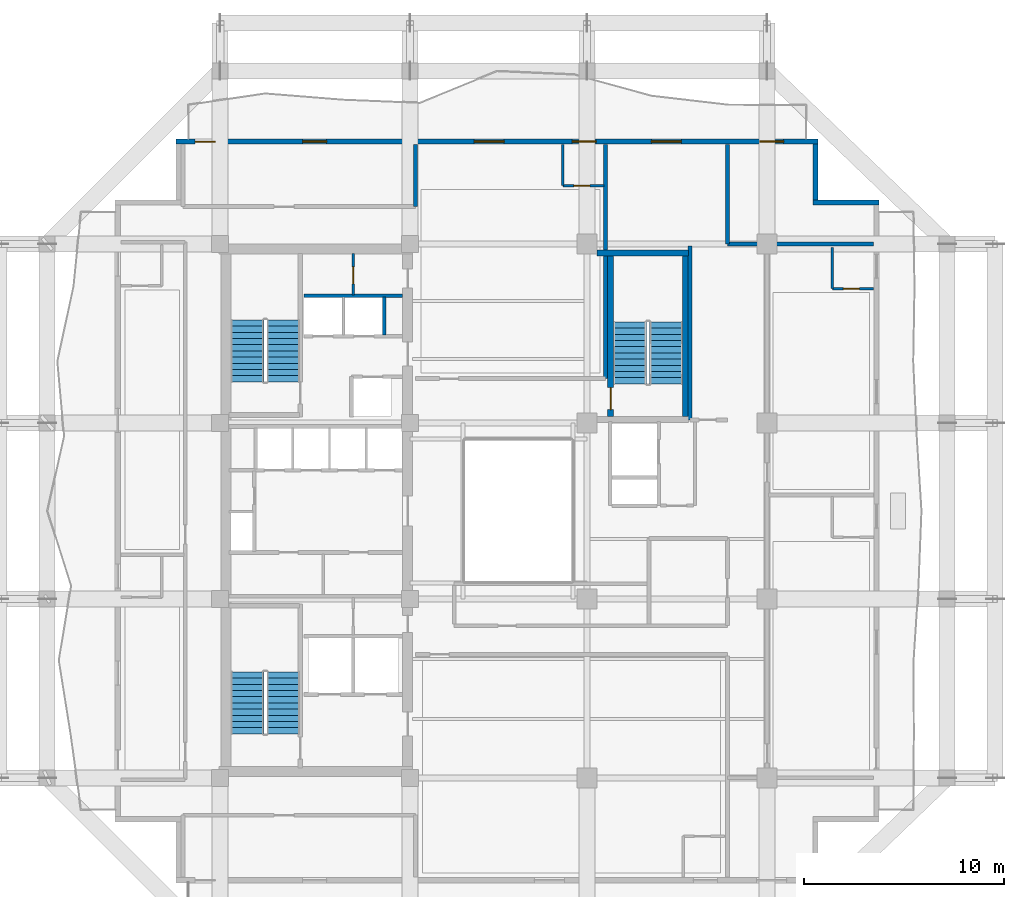
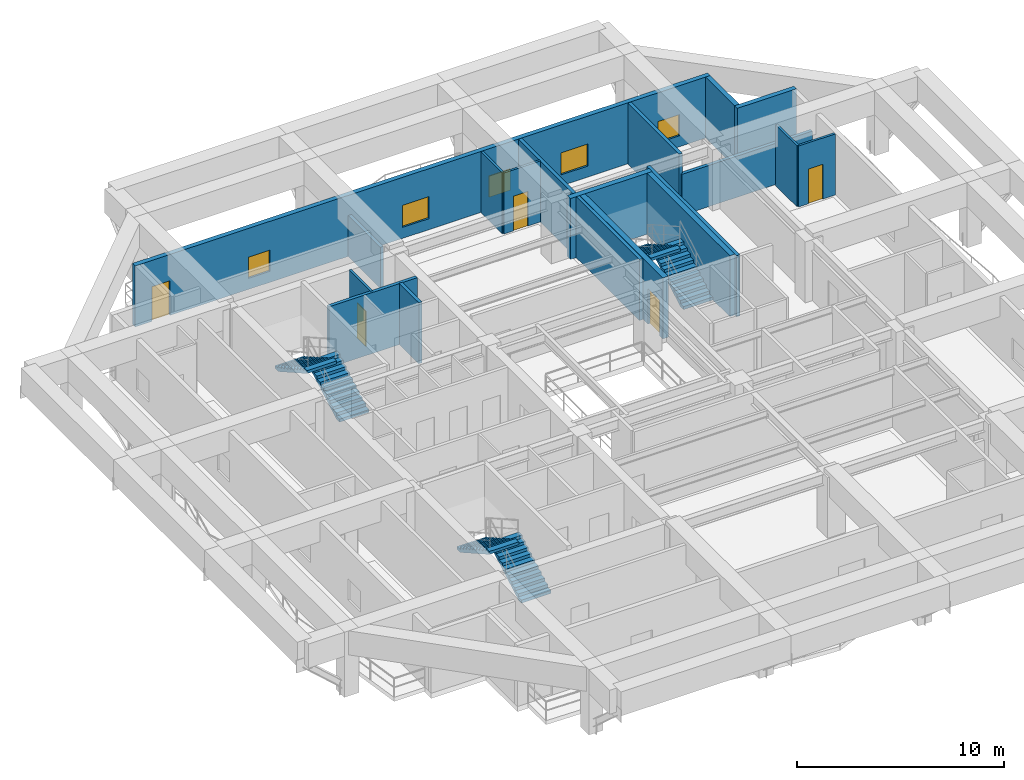
# One storey, part 6 of 11: 18 walls, 6 stair flights, 5 doors, 5 windows, 10 openings, 3 elements without a shape of their own.
"""IFC4 building model written with IfcOpenShell, lengths in metres."""

import ifcopenshell
import ifcopenshell.guid

model = None  # the IFC model being written
_history = None  # IfcOwnerHistory: only IFC2X3 demands one
_inside = {}  # id of a spatial element -> (the spatial element, [elements in it])
_under = {}  # id of a project, library or spatial element -> (it, [spatial elements below it])
_declared = {}  # id of a project -> (the project, [libraries it declares])
_typed = {}  # id of a type object -> (the type object, [elements of that type])
_made_of = {}  # id of a material, layer set ... -> (it, [elements and type objects made of it])


def new_model(schema):
    """Start an empty IFC model of exactly this schema.

    Asked for "IFC4X3", IfcOpenShell would pick the latest addendum, in which some entities
    have other attributes; the version numbers below select the first issue.
    IFC2X3 requires an IfcOwnerHistory on every rooted entity: one is made here for all.
    """
    global model, _history
    if schema == "IFC4X3":
        model = ifcopenshell.file(schema_version=(4, 3, 0, 0))
    else:
        model = ifcopenshell.file(schema=schema)
    _inside.clear()
    _under.clear()
    _declared.clear()
    _typed.clear()
    _made_of.clear()
    _history = None
    if model.schema == "IFC2X3":
        org = make("IfcOrganization", Name="unknown")
        user = make(
            "IfcPersonAndOrganization",
            ThePerson=make("IfcPerson", FamilyName="unknown"),
            TheOrganization=org,
        )
        app = make(
            "IfcApplication",
            ApplicationDeveloper=org,
            Version="unknown",
            ApplicationFullName="unknown",
            ApplicationIdentifier="unknown",
        )
        _history = make(
            "IfcOwnerHistory",
            OwningUser=user,
            OwningApplication=app,
            ChangeAction="ADDED",
            CreationDate=0,
        )
    return model


def make(cls, **values):
    """One entity of the class cls with the attributes given. An attribute that is None is left unset."""
    return model.create_entity(
        cls, **{name: value for name, value in values.items() if value is not None}
    )


def rooted(cls, **values):
    """An entity with a GlobalId (a new one), such as an element, a storey or a relation."""
    return make(cls, GlobalId=ifcopenshell.guid.new(), OwnerHistory=_history, **values)


def si_unit(unit_type, name, prefix=None):
    """IfcSIUnit, for example si_unit("LENGTHUNIT", "METRE", prefix="MILLI")."""
    return make("IfcSIUnit", UnitType=unit_type, Prefix=prefix, Name=name)


def assignment(units):
    """IfcUnitAssignment: the units of a project."""
    return None if units is None else make("IfcUnitAssignment", Units=units)


def point(xyz):
    """IfcCartesianPoint."""
    return None if xyz is None else make("IfcCartesianPoint", Coordinates=xyz)


def direction(xyz):
    """IfcDirection."""
    return None if xyz is None else make("IfcDirection", DirectionRatios=xyz)


def frame(location, z_axis=None, x_axis=None):
    """IfcAxis2Placement3D, a coordinate frame: its origin and axes. An axis left out is left unset."""
    return make(
        "IfcAxis2Placement3D",
        Location=point(location),
        Axis=direction(z_axis),
        RefDirection=direction(x_axis),
    )


def frame_2d(location, x_axis=None):
    """IfcAxis2Placement2D, a coordinate frame in the plane: its origin and x axis."""
    return make(
        "IfcAxis2Placement2D", Location=point(location), RefDirection=direction(x_axis)
    )


def origin():
    """The frame at (0, 0, 0) with its axes left unset."""
    return frame((0.0, 0.0, 0.0))


def place(relative_to, where):
    """IfcLocalPlacement: puts the frame where relative to a parent placement (None: the world)."""
    return make(
        "IfcLocalPlacement", PlacementRelTo=relative_to, RelativePlacement=where
    )


def context(
    kind, dimensions, precision=None, world=None, true_north=None, identifier=None
):
    """IfcGeometricRepresentationContext, for example the 3D "Model" context."""
    return make(
        "IfcGeometricRepresentationContext",
        ContextIdentifier=identifier,
        ContextType=kind,
        CoordinateSpaceDimension=dimensions,
        Precision=precision,
        WorldCoordinateSystem=world,
        TrueNorth=true_north,
    )


def subcontext(parent, identifier, kind, view, scale=None):
    """IfcGeometricRepresentationSubContext, for example "Body" below "Model"."""
    return make(
        "IfcGeometricRepresentationSubContext",
        ContextIdentifier=identifier,
        ContextType=kind,
        ParentContext=parent,
        TargetScale=scale,
        TargetView=view,
    )


def project(units=None, contexts=None):
    """IfcProject with its units and contexts."""
    return rooted(
        "IfcProject",
        Name="project",
        RepresentationContexts=contexts,
        UnitsInContext=assignment(units),
    )


def spatial(cls, under=None, at=None, **own):
    """A site, building, storey or space (cls), placed at a placement, below another one or the project."""
    s = rooted(cls, ObjectPlacement=at, **own)
    if under is not None:
        _under.setdefault(under.id(), (under, []))[1].append(s)
    return s


def polyline(points):
    """IfcPolyline through the points."""
    return make("IfcPolyline", Points=[point(p) for p in points])


def profile(cls, at=None, kind="AREA", **sizes):
    """A parametric profile (cls). Its sizes go by their IFC names, for example OverallWidth=200.0."""
    return make(cls, ProfileType=kind, Position=at, **sizes)


def rectangle(**sizes):
    """IfcRectangleProfileDef."""
    return profile("IfcRectangleProfileDef", **sizes)


def outline(outer, holes=None, kind="AREA"):
    """IfcArbitraryClosedProfileDef: a profile drawn as a closed curve; with holes, ...WithVoids."""
    if holes is None:
        return make("IfcArbitraryClosedProfileDef", ProfileType=kind, OuterCurve=outer)
    return make(
        "IfcArbitraryProfileDefWithVoids",
        ProfileType=kind,
        OuterCurve=outer,
        InnerCurves=holes,
    )


def extrude(swept, where, along, depth):
    """IfcExtrudedAreaSolid: the profile swept, set in the frame where, extruded along a direction by depth."""
    return make(
        "IfcExtrudedAreaSolid",
        SweptArea=swept,
        Position=where,
        ExtrudedDirection=direction(along),
        Depth=depth,
    )


def shape(context_of_items, identifier, shape_type, items):
    """IfcShapeRepresentation: the items that make up one representation, for example the "Body"."""
    return make(
        "IfcShapeRepresentation",
        ContextOfItems=context_of_items,
        RepresentationIdentifier=identifier,
        RepresentationType=shape_type,
        Items=items,
    )


def material(Name=None, Category=None):
    """IfcMaterial."""
    return make("IfcMaterial", Name=Name, Category=Category)


def layer(
    of_material, thickness, ventilated=None, Name=None, Category=None, Priority=None
):
    """IfcMaterialLayer: one layer of a wall or slab, of a material (None: an air gap)."""
    return make(
        "IfcMaterialLayer",
        Material=of_material,
        LayerThickness=thickness,
        IsVentilated=ventilated,
        Name=Name,
        Category=Category,
        Priority=Priority,
    )


def layer_set(layers, Name=None):
    """IfcMaterialLayerSet."""
    return make("IfcMaterialLayerSet", MaterialLayers=layers, LayerSetName=Name)


def made_of(thing, what):
    """Note that an element or type object is made of a material, layer set ...; save() writes the relation."""
    if what is not None:
        _made_of.setdefault(what.id(), (what, []))[1].append(thing)
    return thing


def type_object(cls, material=None, **own):
    """A type object (cls), such as IfcWallType, which elements share."""
    return made_of(rooted(cls, **own), material)


def element(
    cls,
    number,
    at=None,
    inside=None,
    cuts=None,
    type_object=None,
    material=None,
    context=None,
    identifier="Body",
    shape_type=None,
    held_by="IfcProductDefinitionShape",
    body=None,
    shapes=None,
    **own,
):
    """One element of the class cls, such as IfcWall. Its Tag is "e" and its number.

    at: its placement. inside: the storey or other place that contains it. cuts: it is an
    opening in that element (IfcRelVoidsElement). A single representation is given by context,
    identifier, shape_type and body (its items); several are given by shapes. held_by: the class
    of the entity that holds the representations. save() writes the other relations.
    """
    e = rooted(cls, Tag="e%d" % number, ObjectPlacement=at, **own)
    if body is not None:
        shapes = [shape(context, identifier, shape_type, body)]
    if shapes is not None:
        e.Representation = make(held_by, Representations=shapes)
    if inside is not None:
        _inside.setdefault(inside.id(), (inside, []))[1].append(e)
    if cuts is not None:
        rooted(
            "IfcRelVoidsElement", RelatingBuildingElement=cuts, RelatedOpeningElement=e
        )
    if type_object is not None:
        _typed.setdefault(type_object.id(), (type_object, []))[1].append(e)
    return made_of(e, material)


def fill(opening, filler):
    """IfcRelFillsElement: the door or window that sits in an opening."""
    return rooted(
        "IfcRelFillsElement",
        RelatingOpeningElement=opening,
        RelatedBuildingElement=filler,
    )


def aggregate(whole, parts):
    """IfcRelAggregates: a whole, such as a stair, and the parts it consists of."""
    return rooted("IfcRelAggregates", RelatingObject=whole, RelatedObjects=parts)


def save(model, path):
    """Write the relations noted so far, then the file.

    IfcRelAggregates (storeys below a building ...), IfcRelContainedInSpatialStructure (elements
    in a storey), IfcRelDefinesByType, IfcRelAssociatesMaterial and IfcRelDeclares: one each for
    every whole, place, type object, material and project.
    """
    for whole, parts in _under.values():
        aggregate(whole, parts)
    for where, things in _inside.values():
        rooted(
            "IfcRelContainedInSpatialStructure",
            RelatedElements=things,
            RelatingStructure=where,
        )
    for kind, things in _typed.values():
        rooted("IfcRelDefinesByType", RelatedObjects=things, RelatingType=kind)
    for what, things in _made_of.values():
        rooted("IfcRelAssociatesMaterial", RelatedObjects=things, RelatingMaterial=what)
    for by, libraries in _declared.values():
        rooted("IfcRelDeclares", RelatingContext=by, RelatedDefinitions=libraries)
    model.write(path)


model = new_model("IFC4")

# Units and contexts
model_context = context("Model", 3, precision=1e-05, world=origin(), true_north=direction((0.0, 1.0)))
body_context = subcontext(model_context, "Body", "Model", "MODEL_VIEW")
ifc_project = project(units=[si_unit("LENGTHUNIT", "METRE"), si_unit("AREAUNIT", "SQUARE_METRE"), si_unit("VOLUMEUNIT", "CUBIC_METRE"), si_unit("PLANEANGLEUNIT", "RADIAN"), si_unit("MASSUNIT", "GRAM", prefix="KILO")], contexts=[model_context])

# Site, building, storey
site_placement = place(None, origin())
site = spatial("IfcSite", under=ifc_project, at=site_placement, CompositionType="ELEMENT")
building_placement = place(site_placement, origin())
building = spatial("IfcBuilding", under=site, at=building_placement, Name="Kundavana Baori Tower", CompositionType="ELEMENT")
storey_placement = place(building_placement, frame((0.0, 0.0, 154.050048828125)))
storey = spatial("IfcBuildingStorey", under=building, at=storey_placement, Name="L37", CompositionType="ELEMENT", Elevation=154.050048828125)

# Walls
ifc_material_1 = material(Name="Kiln-Fired Terracotta Brick-Slip Masonry on Concrete C40/50", Category="masonry")
ifc_layer_1 = layer(ifc_material_1, 0.260009765625, Name="WL-EXT-BRK-260")
ifc_layer_set_1 = layer_set([ifc_layer_1], Name="Kiln-Fired Terracotta Brick-Slip Masonry on Concrete C40/50")
wall_type_1 = type_object("IfcWallType", Name="WL-EXT-BRK-260", PredefinedType="SOLIDWALL", material=ifc_layer_set_1)
wall_1_placement = place(storey_placement, frame((48.39990234375, 44.02001953125, 0.0), z_axis=(0.0, 0.0, 1.0), x_axis=(-1.0, 0.0, 0.0)))
element("IfcWall", 1, at=wall_1_placement, inside=storey, type_object=wall_type_1, Name="L37 Exterior Insulated Facade Wall 05", PredefinedType="SOLIDWALL", context=body_context, shape_type="SweptSolid", body=[
    extrude(rectangle(XDim=3.309814453125, YDim=0.260009765625, at=frame_2d((1.65478515625, 0.0))), origin(), (0.0, 0.0, 1.0), 3.599853515625),
])
wall_2_placement = place(storey_placement, frame((45.219970703125, 44.14990234375, 0.0), z_axis=(0.0, 0.0, 1.0), x_axis=(0.0, 1.0, 0.0)))
element("IfcWall", 2, at=wall_2_placement, inside=storey, type_object=wall_type_1, Name="L37 Exterior Insulated Facade Wall 06", PredefinedType="SOLIDWALL", context=body_context, shape_type="SweptSolid", body=[
    extrude(rectangle(XDim=2.7900390625, YDim=0.260009765625, at=frame_2d((1.39501953125, 0.0))), origin(), (0.0, 0.0, 1.0), 3.599853515625),
])

# Wall, openings, door, windows
wall_3_placement = place(storey_placement, frame((45.35009765625, 47.070068359375, 0.0), z_axis=(0.0, 0.0, 1.0), x_axis=(-1.0, 0.0, 0.0)))
wall_3 = element("IfcWall", 3, at=wall_3_placement, inside=storey, type_object=wall_type_1, Name="L37 Exterior Insulated Facade Wall 07", PredefinedType="SOLIDWALL", context=body_context, shape_type="SweptSolid", body=[
    extrude(rectangle(XDim=32.10009765625, YDim=0.260009765625, at=frame_2d((16.050048828125, 0.0))), origin(), (0.0, 0.0, 1.0), 3.599853515625),
])
opening_1_placement = place(wall_3_placement, frame((30.14990234375, 0.0, 0.0)))
opening_1 = element("IfcOpeningElement", 4, at=opening_1_placement, cuts=wall_3, Name="Opening BD-1", PredefinedType="OPENING", context=body_context, shape_type="SweptSolid", body=[
    extrude(rectangle(XDim=1.0, YDim=2.050048828125, at=frame_2d((0.5, 1.02490234375))), frame((0.0, 0.14013671875, 0.0), z_axis=(0.0, -1.0, 0.0), x_axis=(1.0, 0.0, 0.0)), (0.0, 0.0, 1.0), 0.280029296875),
])
opening_2_placement = place(wall_3_placement, frame((24.570068359375, 0.0, 0.64990234375)))
opening_2 = element("IfcOpeningElement", 5, at=opening_2_placement, cuts=wall_3, Name="Opening W-12", PredefinedType="OPENING", context=body_context, shape_type="SweptSolid", body=[
    extrude(rectangle(XDim=1.199951171875, YDim=1.25, at=frame_2d((0.60009765625, 0.625))), frame((0.0, 0.14013671875, 0.0), z_axis=(0.0, -1.0, 0.0), x_axis=(1.0, 0.0, 0.0)), (0.0, 0.0, 1.0), 0.280029296875),
])
opening_3_placement = place(wall_3_placement, frame((15.695068359375, 0.0, 0.64990234375)))
opening_3 = element("IfcOpeningElement", 6, at=opening_3_placement, cuts=wall_3, Name="Opening W-11", PredefinedType="OPENING", context=body_context, shape_type="SweptSolid", body=[
    extrude(rectangle(XDim=1.5, YDim=1.300048828125, at=frame_2d((0.75, 0.64990234375))), frame((0.0, 0.14013671875, 0.0), z_axis=(0.0, -1.0, 0.0), x_axis=(1.0, 0.0, 0.0)), (0.0, 0.0, 1.0), 0.280029296875),
])
opening_4_placement = place(wall_3_placement, frame((11.094970703125, 0.0, 0.64990234375)))
opening_4 = element("IfcOpeningElement", 7, at=opening_4_placement, cuts=wall_3, Name="Opening W-12", PredefinedType="OPENING", context=body_context, shape_type="SweptSolid", body=[
    extrude(rectangle(XDim=1.199951171875, YDim=1.25, at=frame_2d((0.60009765625, 0.625))), frame((0.0, 0.14013671875, 0.0), z_axis=(0.0, -1.0, 0.0), x_axis=(1.0, 0.0, 0.0)), (0.0, 0.0, 1.0), 0.280029296875),
])
opening_5_placement = place(wall_3_placement, frame((6.830078125, 0.0, 0.64990234375)))
opening_5 = element("IfcOpeningElement", 8, at=opening_5_placement, cuts=wall_3, Name="Opening W-11", PredefinedType="OPENING", context=body_context, shape_type="SweptSolid", body=[
    extrude(rectangle(XDim=1.5, YDim=1.300048828125, at=frame_2d((0.75, 0.64990234375))), frame((0.0, 0.14013671875, 0.0), z_axis=(0.0, -1.0, 0.0), x_axis=(1.0, 0.0, 0.0)), (0.0, 0.0, 1.0), 0.280029296875),
])
opening_6_placement = place(wall_3_placement, frame((1.719970703125, 0.0, 0.64990234375)))
opening_6 = element("IfcOpeningElement", 9, at=opening_6_placement, cuts=wall_3, Name="Opening W-12", PredefinedType="OPENING", context=body_context, shape_type="SweptSolid", body=[
    extrude(rectangle(XDim=1.199951171875, YDim=1.25, at=frame_2d((0.60009765625, 0.625))), frame((0.0, 0.14013671875, 0.0), z_axis=(0.0, -1.0, 0.0), x_axis=(1.0, 0.0, 0.0)), (0.0, 0.0, 1.0), 0.280029296875),
])
ifc_material_2 = material(Name="Architectural Patinated Bronze Metalwork")
door_type_1 = type_object("IfcDoorType", Name="DR-EXT-LOG-1000", OperationType="NOTDEFINED", PredefinedType="DOOR", material=ifc_material_2)
door_1_placement = place(opening_1_placement, frame((1.0, 0.0, 0.0), z_axis=(0.0, 0.0, 1.0), x_axis=(-1.0, 0.0, 0.0)))
door_1 = element("IfcDoor", 10, at=door_1_placement, inside=storey, type_object=door_type_1, Name="L37 Loggia Balcony Access Door N", OperationType="SINGLE_SWING_LEFT", OverallHeight=2.050048828125, OverallWidth=1.0, PredefinedType="DOOR", context=body_context, shape_type="SweptSolid", body=[
    extrude(rectangle(XDim=1.0, YDim=2.050048828125, at=frame_2d((0.5, 1.02490234375))), frame((0.0, 0.02490234375, 0.0), z_axis=(0.0, -1.0, 0.0), x_axis=(1.0, 0.0, 0.0)), (0.0, 0.0, 1.0), 0.050048828125),
])
fill(opening_1, door_1)
ifc_material_3 = material(Name="Double-Glazed Solar-Control Low-E Insulated Glass", Category="glass")
window_type_1 = type_object("IfcWindowType", Name="WIN-TRN-1200x1250", PartitioningType="SINGLE_PANEL", PredefinedType="WINDOW", material=ifc_material_3)
window_1_placement = place(opening_2_placement, origin())
window_1 = element("IfcWindow", 11, at=window_1_placement, inside=storey, type_object=window_type_1, Name="L37 Recessed Loggia Window N-1", OverallHeight=1.25, OverallWidth=1.199951171875, PartitioningType="SINGLE_PANEL", PredefinedType="WINDOW", context=body_context, shape_type="SweptSolid", body=[
    extrude(rectangle(XDim=1.199951171875, YDim=1.25, at=frame_2d((0.60009765625, 0.625))), frame((0.0, 0.030029296875, 0.0), z_axis=(0.0, -1.0, 0.0), x_axis=(1.0, 0.0, 0.0)), (0.0, 0.0, 1.0), 0.06005859375),
])
fill(opening_2, window_1)
window_2_placement = place(opening_4_placement, origin())
window_2 = element("IfcWindow", 12, at=window_2_placement, inside=storey, type_object=window_type_1, Name="L37 Recessed Loggia Window N-3", OverallHeight=1.25, OverallWidth=1.199951171875, PartitioningType="SINGLE_PANEL", PredefinedType="WINDOW", context=body_context, shape_type="SweptSolid", body=[
    extrude(rectangle(XDim=1.199951171875, YDim=1.25, at=frame_2d((0.60009765625, 0.625))), frame((0.0, 0.030029296875, 0.0), z_axis=(0.0, -1.0, 0.0), x_axis=(1.0, 0.0, 0.0)), (0.0, 0.0, 1.0), 0.06005859375),
])
fill(opening_4, window_2)
window_3_placement = place(opening_6_placement, origin())
window_3 = element("IfcWindow", 13, at=window_3_placement, inside=storey, type_object=window_type_1, Name="L37 Recessed Loggia Window N-5", OverallHeight=1.25, OverallWidth=1.199951171875, PartitioningType="SINGLE_PANEL", PredefinedType="WINDOW", context=body_context, shape_type="SweptSolid", body=[
    extrude(rectangle(XDim=1.199951171875, YDim=1.25, at=frame_2d((0.60009765625, 0.625))), frame((0.0, 0.030029296875, 0.0), z_axis=(0.0, -1.0, 0.0), x_axis=(1.0, 0.0, 0.0)), (0.0, 0.0, 1.0), 0.06005859375),
])
fill(opening_6, window_3)
ifc_material_4 = material(Name="Double-Glazed Solar-Control Low-E Insulated Glass", Category="glass")
window_type_2 = type_object("IfcWindowType", Name="WIN-TRN-1500x1300", PartitioningType="SINGLE_PANEL", PredefinedType="WINDOW", material=ifc_material_4)
window_4_placement = place(opening_3_placement, origin())
window_4 = element("IfcWindow", 14, at=window_4_placement, inside=storey, type_object=window_type_2, Name="L37 Recessed Loggia Window N-2", OverallHeight=1.300048828125, OverallWidth=1.5, PartitioningType="SINGLE_PANEL", PredefinedType="WINDOW", context=body_context, shape_type="SweptSolid", body=[
    extrude(rectangle(XDim=1.5, YDim=1.300048828125, at=frame_2d((0.75, 0.64990234375))), frame((0.0, 0.030029296875, 0.0), z_axis=(0.0, -1.0, 0.0), x_axis=(1.0, 0.0, 0.0)), (0.0, 0.0, 1.0), 0.06005859375),
])
fill(opening_3, window_4)
window_5_placement = place(opening_5_placement, origin())
window_5 = element("IfcWindow", 15, at=window_5_placement, inside=storey, type_object=window_type_2, Name="L37 Recessed Loggia Window N-4", OverallHeight=1.300048828125, OverallWidth=1.5, PartitioningType="SINGLE_PANEL", PredefinedType="WINDOW", context=body_context, shape_type="SweptSolid", body=[
    extrude(rectangle(XDim=1.5, YDim=1.300048828125, at=frame_2d((0.75, 0.64990234375))), frame((0.0, 0.030029296875, 0.0), z_axis=(0.0, -1.0, 0.0), x_axis=(1.0, 0.0, 0.0)), (0.0, 0.0, 1.0), 0.06005859375),
])
fill(opening_5, window_5)

# Wall, opening, door
ifc_material_5 = material(Name="Acoustic Gypsum Plasterboard on Galvanised Steel Studs", Category="steel")
ifc_layer_2 = layer(ifc_material_5, 0.1201171875, Name="WL-PART-120")
ifc_layer_set_2 = layer_set([ifc_layer_2], Name="Acoustic Gypsum Plasterboard on Galvanised Steel Studs")
wall_type_2 = type_object("IfcWallType", Name="WL-PART-120", PredefinedType="PARTITIONING", material=ifc_layer_set_2)
wall_4_placement = place(storey_placement, frame((22.10009765625, 39.39990234375, 0.0), z_axis=(0.0, 0.0, 1.0), x_axis=(0.0, 1.0, 0.0)))
wall_4 = element("IfcWall", 16, at=wall_4_placement, inside=storey, type_object=wall_type_2, Name="WL-L37-CSRV-D1", PredefinedType="PARTITIONING", context=body_context, shape_type="SweptSolid", body=[
    extrude(rectangle(XDim=2.080078125, YDim=0.1201171875, at=frame_2d((1.0400390625, 0.0))), origin(), (0.0, 0.0, 1.0), 3.599853515625),
])
opening_7_placement = place(wall_4_placement, frame((0.550048828125, 0.0, 0.0)))
opening_7 = element("IfcOpeningElement", 17, at=opening_7_placement, cuts=wall_4, Name="Opening FD-085", PredefinedType="OPENING", context=body_context, shape_type="SweptSolid", body=[
    extrude(rectangle(XDim=0.85009765625, YDim=2.06005859375, at=frame_2d((0.425048828125, 1.030029296875))), frame((0.0, 0.070068359375, 0.0), z_axis=(0.0, -1.0, 0.0), x_axis=(1.0, 0.0, 0.0)), (0.0, 0.0, 1.0), 0.14013671875),
])
ifc_material_6 = material(Name="Galvanised Steel Fire-Rated Door Leaf", Category="steel")
door_type_2 = type_object("IfcDoorType", Name="DR-FD60-850", OperationType="NOTDEFINED", PredefinedType="DOOR", material=ifc_material_6)
door_2_placement = place(opening_7_placement, origin())
door_2 = element("IfcDoor", 18, at=door_2_placement, inside=storey, type_object=door_type_2, Name="DR-L37-CSRV1", OperationType="SINGLE_SWING_LEFT", OverallHeight=2.06005859375, OverallWidth=0.85009765625, PredefinedType="DOOR", context=body_context, shape_type="SweptSolid", body=[
    extrude(rectangle(XDim=0.85009765625, YDim=2.06005859375, at=frame_2d((0.425048828125, 1.030029296875))), frame((0.0, 0.02490234375, 0.0), z_axis=(0.0, -1.0, 0.0), x_axis=(1.0, 0.0, 0.0)), (0.0, 0.0, 1.0), 0.050048828125),
])
fill(opening_7, door_2)

# Walls
ifc_material_7 = material(Name="Autoclaved Aerated Concrete Blockwork Masonry", Category="masonry")
ifc_layer_3 = layer(ifc_material_7, 0.18505859375, Name="WL-PART-180")
ifc_layer_set_3 = layer_set([ifc_layer_3], Name="Autoclaved Aerated Concrete Blockwork Masonry")
wall_type_3 = type_object("IfcWallType", Name="WL-PART-180", PredefinedType="SOLIDWALL", material=ifc_layer_set_3)
wall_5_placement = place(storey_placement, frame((40.820068359375, 41.949951171875, 0.0), z_axis=(0.0, 0.0, 1.0), x_axis=(1.0, 0.0, 0.0)))
element("IfcWall", 19, at=wall_5_placement, inside=storey, type_object=wall_type_3, Name="WL-L37-HEN", PredefinedType="SOLIDWALL", context=body_context, shape_type="SweptSolid", body=[
    extrude(rectangle(XDim=7.300048828125, YDim=0.18505859375, at=frame_2d((3.64990234375, 0.0))), origin(), (0.0, 0.0, 1.0), 2.429931640625),
])
wall_6_placement = place(storey_placement, frame((25.219970703125, 43.820068359375, 0.0), z_axis=(0.0, 0.0, 1.0), x_axis=(0.0, 1.0, 0.0)))
element("IfcWall", 20, at=wall_6_placement, inside=storey, type_object=wall_type_3, Name="WL-L37-HNCE", PredefinedType="SOLIDWALL", context=body_context, shape_type="SweptSolid", body=[
    extrude(rectangle(XDim=3.099853515625, YDim=0.18505859375, at=frame_2d((1.5498046875, 0.0))), origin(), (0.0, 0.0, 1.0), 2.429931640625),
])
wall_7_placement = place(storey_placement, frame((34.719970703125, 35.219970703125, 0.0), z_axis=(0.0, 0.0, 1.0), x_axis=(0.0, 1.0, 0.0)))
element("IfcWall", 21, at=wall_7_placement, inside=storey, type_object=wall_type_3, Name="WL-L37-HNEND", PredefinedType="SOLIDWALL", context=body_context, shape_type="SweptSolid", body=[
    extrude(rectangle(XDim=11.699951171875, YDim=0.18505859375, at=frame_2d((5.85009765625, 0.0))), origin(), (0.0, 0.0, 1.0), 3.599853515625),
])
wall_8_placement = place(storey_placement, frame((38.949951171875, 33.14990234375, 0.0), z_axis=(0.0, 0.0, 1.0), x_axis=(0.0, 1.0, 0.0)))
element("IfcWall", 22, at=wall_8_placement, inside=storey, type_object=wall_type_3, Name="WL-L37-HNEW", PredefinedType="SOLIDWALL", context=body_context, shape_type="SweptSolid", body=[
    extrude(rectangle(XDim=8.7001953125, YDim=0.18505859375, at=frame_2d((4.35009765625, 0.0))), origin(), (0.0, 0.0, 1.0), 3.599853515625),
])
wall_9_placement = place(storey_placement, frame((40.820068359375, 41.949951171875, 0.0), z_axis=(0.0, 0.0, 1.0), x_axis=(0.0, 1.0, 0.0)))
element("IfcWall", 23, at=wall_9_placement, inside=storey, type_object=wall_type_3, Name="WL-L37-HNEE", PredefinedType="SOLIDWALL", context=body_context, shape_type="SweptSolid", body=[
    extrude(rectangle(XDim=4.969970703125, YDim=0.18505859375, at=frame_2d((2.48486328125, 0.0))), origin(), (0.0, 0.0, 1.0), 3.599853515625),
])
ifc_material_8 = material(Name="Autoclaved Aerated Concrete Blockwork Masonry", Category="masonry")
ifc_layer_4 = layer(ifc_material_8, 0.179931640625, Name="WL-SHAFT-180")
ifc_layer_set_4 = layer_set([ifc_layer_4], Name="Autoclaved Aerated Concrete Blockwork Masonry")
wall_type_4 = type_object("IfcWallType", Name="WL-SHAFT-180", PredefinedType="SOLIDWALL", material=ifc_layer_set_4)
wall_10_placement = place(storey_placement, frame((19.639892578125, 39.360107421875, 0.0), z_axis=(0.0, 0.0, 1.0), x_axis=(1.0, 0.0, 0.0)))
element("IfcWall", 24, at=wall_10_placement, inside=storey, type_object=wall_type_4, Name="WL-L37-HRLOB-TOP", PredefinedType="SOLIDWALL", context=body_context, shape_type="SweptSolid", body=[
    extrude(rectangle(XDim=4.940185546875, YDim=0.179931640625, at=frame_2d((2.47021484375, 0.0))), origin(), (0.0, 0.0, 1.0), 3.599853515625),
])
wall_11_placement = place(storey_placement, frame((23.659912109375, 37.39990234375, 0.0), z_axis=(0.0, 0.0, 1.0), x_axis=(0.0, 1.0, 0.0)))
element("IfcWall", 25, at=wall_11_placement, inside=storey, type_object=wall_type_4, Name="WL-L37-HR-DIV2", PredefinedType="SOLIDWALL", context=body_context, shape_type="SweptSolid", body=[
    extrude(rectangle(XDim=1.900146484375, YDim=0.179931640625, at=frame_2d((0.9501953125, 0.0))), origin(), (0.0, 0.0, 1.0), 3.599853515625),
])
ifc_material_9 = material(Name="Concrete C50/60", Category="concrete")
ifc_layer_5 = layer(ifc_material_9, 0.300048828125, Name="WL-ST3-300")
ifc_layer_set_5 = layer_set([ifc_layer_5], Name="Concrete C50/60")
wall_type_5 = type_object("IfcWallType", Name="WL-ST3-300", PredefinedType="SHEAR", material=ifc_layer_set_5)
wall_12_placement = place(storey_placement, frame((34.300048828125, 41.489990234375, 0.0), z_axis=(0.0, 0.0, 1.0), x_axis=(1.0, 0.0, 0.0)))
element("IfcWall", 26, at=wall_12_placement, inside=storey, type_object=wall_type_5, Name="L37 Stair ST3 North Shear Wall", PredefinedType="SHEAR", context=body_context, shape_type="SweptSolid", body=[
    extrude(rectangle(XDim=4.570068359375, YDim=0.300048828125, at=frame_2d((2.28515625, 0.0))), origin(), (0.0, 0.0, 1.0), 3.599853515625),
])

# Wall, opening, door
wall_13_placement = place(storey_placement, frame((34.97998046875, 33.31005859375, 0.0), z_axis=(0.0, 0.0, 1.0), x_axis=(0.0, 1.0, 0.0)))
wall_13 = element("IfcWall", 27, at=wall_13_placement, inside=storey, type_object=wall_type_5, Name="L37 Stair ST3 West Shear Wall", PredefinedType="SHEAR", context=body_context, shape_type="SweptSolid", body=[
    extrude(rectangle(XDim=8.030029296875, YDim=0.300048828125, at=frame_2d((4.01513671875, 0.0))), origin(), (0.0, 0.0, 1.0), 3.599853515625),
])
opening_8_placement = place(wall_13_placement, frame((0.35009765625, 0.0, 0.0)))
opening_8 = element("IfcOpeningElement", 28, at=opening_8_placement, cuts=wall_13, Name="Opening FD-110", PredefinedType="OPENING", context=body_context, shape_type="SweptSolid", body=[
    extrude(rectangle(XDim=1.10009765625, YDim=2.10009765625, at=frame_2d((0.550048828125, 1.050048828125))), frame((0.0, 0.16015625, 0.0), z_axis=(0.0, -1.0, 0.0), x_axis=(1.0, 0.0, 0.0)), (0.0, 0.0, 1.0), 0.320068359375),
])
ifc_material_10 = material(Name="Galvanised Steel Fire-Rated Door Leaf", Category="steel")
door_type_3 = type_object("IfcDoorType", Name="DR-FD120-1100", OperationType="NOTDEFINED", PredefinedType="DOOR", material=ifc_material_10)
door_3_placement = place(opening_8_placement, origin())
door_3 = element("IfcDoor", 29, at=door_3_placement, inside=storey, type_object=door_type_3, Name="DR-L37-ST3-W", OperationType="SINGLE_SWING_LEFT", OverallHeight=2.10009765625, OverallWidth=1.10009765625, PredefinedType="DOOR", context=body_context, shape_type="SweptSolid", body=[
    extrude(rectangle(XDim=1.10009765625, YDim=2.10009765625, at=frame_2d((0.550048828125, 1.050048828125))), frame((0.0, 0.02490234375, 0.0), z_axis=(0.0, -1.0, 0.0), x_axis=(1.0, 0.0, 0.0)), (0.0, 0.0, 1.0), 0.050048828125),
])
fill(opening_8, door_3)

# Walls
wall_14_placement = place(storey_placement, frame((38.719970703125, 33.31005859375, 0.0), z_axis=(0.0, 0.0, 1.0), x_axis=(0.0, 1.0, 0.0)))
element("IfcWall", 30, at=wall_14_placement, inside=storey, type_object=wall_type_5, Name="L37 Stair ST3 East Shear Wall", PredefinedType="SHEAR", context=body_context, shape_type="SweptSolid", body=[
    extrude(rectangle(XDim=8.030029296875, YDim=0.300048828125, at=frame_2d((4.01513671875, 0.0))), origin(), (0.0, 0.0, 1.0), 3.599853515625),
])
ifc_material_11 = material(Name="Autoclaved Aerated Concrete Blockwork Masonry", Category="masonry")
ifc_layer_6 = layer(ifc_material_11, 0.125, Name="WL-WET-120")
ifc_layer_set_6 = layer_set([ifc_layer_6], Name="Autoclaved Aerated Concrete Blockwork Masonry")
wall_type_6 = type_object("IfcWallType", Name="WL-WET-120", PredefinedType="PLUMBINGWALL", material=ifc_layer_set_6)
wall_15_placement = place(storey_placement, frame((46.070068359375, 39.719970703125, 0.0), z_axis=(0.0, 0.0, 1.0), x_axis=(0.0, 1.0, 0.0)))
element("IfcWall", 31, at=wall_15_placement, inside=storey, type_object=wall_type_6, Name="WL-L37-HK-E2-BW", PredefinedType="PLUMBINGWALL", context=body_context, shape_type="SweptSolid", body=[
    extrude(rectangle(XDim=2.050048828125, YDim=0.125, at=frame_2d((1.02490234375, 0.0))), origin(), (0.0, 0.0, 1.0), 3.599853515625),
])

# Wall, opening, door
wall_16_placement = place(storey_placement, frame((46.070068359375, 39.719970703125, 0.0), z_axis=(0.0, 0.0, 1.0), x_axis=(1.0, 0.0, 0.0)))
wall_16 = element("IfcWall", 32, at=wall_16_placement, inside=storey, type_object=wall_type_6, Name="WL-L37-HK-E2-BS", PredefinedType="PLUMBINGWALL", context=body_context, shape_type="SweptSolid", body=[
    extrude(rectangle(XDim=2.050048828125, YDim=0.125, at=frame_2d((1.02490234375, 0.0))), origin(), (0.0, 0.0, 1.0), 3.599853515625),
])
opening_9_placement = place(wall_16_placement, frame((0.550048828125, 0.0, 0.0)))
opening_9 = element("IfcOpeningElement", 33, at=opening_9_placement, cuts=wall_16, Name="Opening WD-080", PredefinedType="OPENING", context=body_context, shape_type="SweptSolid", body=[
    extrude(rectangle(XDim=0.800048828125, YDim=2.050048828125, at=frame_2d((0.39990234375, 1.02490234375))), frame((0.0, 0.072509765625, 0.0), z_axis=(0.0, -1.0, 0.0), x_axis=(1.0, 0.0, 0.0)), (0.0, 0.0, 1.0), 0.14501953125),
])
ifc_material_12 = material(Name="Engineered Teak Solid-Core Timber Veneer", Category="wood")
door_type_4 = type_object("IfcDoorType", Name="DR-WET-800", OperationType="NOTDEFINED", PredefinedType="DOOR", material=ifc_material_12)
door_4_placement = place(opening_9_placement, frame((0.800048828125, 0.0, 0.0), z_axis=(0.0, 0.0, 1.0), x_axis=(-1.0, 0.0, 0.0)))
door_4 = element("IfcDoor", 34, at=door_4_placement, inside=storey, type_object=door_type_4, Name="DR-L37-HK-E2-ENS", OperationType="SINGLE_SWING_LEFT", OverallHeight=2.050048828125, OverallWidth=0.800048828125, PredefinedType="DOOR", context=body_context, shape_type="SweptSolid", body=[
    extrude(rectangle(XDim=0.800048828125, YDim=2.050048828125, at=frame_2d((0.39990234375, 1.02490234375))), frame((0.0, 0.02490234375, 0.0), z_axis=(0.0, -1.0, 0.0), x_axis=(1.0, 0.0, 0.0)), (0.0, 0.0, 1.0), 0.050048828125),
])
fill(opening_9, door_4)

# Wall
wall_17_placement = place(storey_placement, frame((32.590087890625, 44.8701171875, 0.0), z_axis=(0.0, 0.0, 1.0), x_axis=(0.0, 1.0, 0.0)))
element("IfcWall", 35, at=wall_17_placement, inside=storey, type_object=wall_type_6, Name="WL-L37-HK-N1-BW", PredefinedType="PLUMBINGWALL", context=body_context, shape_type="SweptSolid", body=[
    extrude(rectangle(XDim=2.0498046875, YDim=0.125, at=frame_2d((1.02490234375, 0.0))), origin(), (0.0, 0.0, 1.0), 3.599853515625),
])

# Wall, opening, door
wall_18_placement = place(storey_placement, frame((32.590087890625, 44.8701171875, 0.0), z_axis=(0.0, 0.0, 1.0), x_axis=(1.0, 0.0, 0.0)))
wall_18 = element("IfcWall", 36, at=wall_18_placement, inside=storey, type_object=wall_type_6, Name="WL-L37-HK-N1-BS", PredefinedType="PLUMBINGWALL", context=body_context, shape_type="SweptSolid", body=[
    extrude(rectangle(XDim=2.0498046875, YDim=0.125, at=frame_2d((1.02490234375, 0.0))), origin(), (0.0, 0.0, 1.0), 3.599853515625),
])
opening_10_placement = place(wall_18_placement, frame((0.550048828125, 0.0, 0.0)))
opening_10 = element("IfcOpeningElement", 37, at=opening_10_placement, cuts=wall_18, Name="Opening WD-080", PredefinedType="OPENING", context=body_context, shape_type="SweptSolid", body=[
    extrude(rectangle(XDim=0.800048828125, YDim=2.050048828125, at=frame_2d((0.39990234375, 1.02490234375))), frame((0.0, 0.072509765625, 0.0), z_axis=(0.0, -1.0, 0.0), x_axis=(1.0, 0.0, 0.0)), (0.0, 0.0, 1.0), 0.14501953125),
])
door_5_placement = place(opening_10_placement, frame((0.800048828125, 0.0, 0.0), z_axis=(0.0, 0.0, 1.0), x_axis=(-1.0, 0.0, 0.0)))
door_5 = element("IfcDoor", 38, at=door_5_placement, inside=storey, type_object=door_type_4, Name="DR-L37-HK-N1-ENS", OperationType="SINGLE_SWING_LEFT", OverallHeight=2.050048828125, OverallWidth=0.800048828125, PredefinedType="DOOR", context=body_context, shape_type="SweptSolid", body=[
    extrude(rectangle(XDim=0.800048828125, YDim=2.050048828125, at=frame_2d((0.39990234375, 1.02490234375))), frame((0.0, 0.02490234375, 0.0), z_axis=(0.0, -1.0, 0.0), x_axis=(1.0, 0.0, 0.0)), (0.0, 0.0, 1.0), 0.050048828125),
])
fill(opening_10, door_5)

# Stair, stair flights
ifc_material_13 = material(Name="Concrete C40/50", Category="concrete")
stair_type = type_object("IfcStairType", Name="STR-DOG-1650", PredefinedType="HALF_TURN_STAIR", material=ifc_material_13)
stair_1_placement = place(storey_placement, origin())
stair_1 = element("IfcStair", 39, at=stair_1_placement, inside=storey, type_object=stair_type, Name="L37 Protected Exit Stair ST1", PredefinedType="HALF_TURN_STAIR")
ifc_material_14 = material(Name="Concrete C40/50", Category="concrete")
stair_flight_type = type_object("IfcStairFlightType", Name="SFL-RC-1650", PredefinedType="STRAIGHT", material=ifc_material_14)
stair_flight_1_placement = place(storey_placement, frame((18.614990234375, 17.449951171875, 0.0), z_axis=(0.0, 0.0, 1.0), x_axis=(0.0, 1.0, 0.0)))
stair_flight_1 = element("IfcStairFlight", 40, at=stair_flight_1_placement, type_object=stair_flight_type, Name="ST1 flight 1", NumberOfRisers=11, NumberOfTreads=10, PredefinedType="STRAIGHT", RiserHeight=0.175, TreadLength=0.31, context=body_context, shape_type="SweptSolid", body=[
    extrude(outline(polyline([(0.0, 0.0), (0.0, 0.175048828125), (0.31005859375, 0.175048828125), (0.31005859375, 0.35009765625), (0.6201171875, 0.35009765625), (0.6201171875, 0.52490234375), (0.929931640625, 0.52490234375), (0.929931640625, 0.699951171875), (1.239990234375, 0.699951171875), (1.239990234375, 0.875), (1.550048828125, 0.875), (1.550048828125, 1.050048828125), (1.860107421875, 1.050048828125), (1.860107421875, 1.22509765625), (2.169921875, 1.22509765625), (2.169921875, 1.39990234375), (2.47998046875, 1.39990234375), (2.47998046875, 1.574951171875), (2.7900390625, 1.574951171875), (2.7900390625, 1.75), (3.10009765625, 1.75), (3.10009765625, 1.925048828125), (3.10009765625, 1.577880859375), (0.304931640625, 0.0), (0.0, 0.0)])), frame((0.0, 0.824951171875, 0.0), z_axis=(0.0, -1.0, 0.0), x_axis=(1.0, 0.0, 0.0)), (0.0, 0.0, 1.0), 1.64990234375),
])
stair_flight_2_placement = place(storey_placement, frame((16.804931640625, 20.550048828125, 1.925048828125), z_axis=(0.0, 0.0, 1.0), x_axis=(0.0, -1.0, 0.0)))
stair_flight_2 = element("IfcStairFlight", 41, at=stair_flight_2_placement, type_object=stair_flight_type, Name="ST1 flight 2", NumberOfRisers=11, NumberOfTreads=10, PredefinedType="STRAIGHT", RiserHeight=0.175, TreadLength=0.31, context=body_context, shape_type="SweptSolid", body=[
    extrude(outline(polyline([(0.0, 0.0), (0.0, 0.175048828125), (0.31005859375, 0.175048828125), (0.31005859375, 0.35009765625), (0.6201171875, 0.35009765625), (0.6201171875, 0.52490234375), (0.929931640625, 0.52490234375), (0.929931640625, 0.699951171875), (1.239990234375, 0.699951171875), (1.239990234375, 0.875), (1.550048828125, 0.875), (1.550048828125, 1.050048828125), (1.860107421875, 1.050048828125), (1.860107421875, 1.22509765625), (2.169921875, 1.22509765625), (2.169921875, 1.39990234375), (2.47998046875, 1.39990234375), (2.47998046875, 1.574951171875), (2.7900390625, 1.574951171875), (2.7900390625, 1.75), (3.10009765625, 1.75), (3.10009765625, 1.925048828125), (3.10009765625, 1.577880859375), (0.304931640625, 0.0), (0.0, 0.0)])), frame((0.0, 0.824951171875, 0.0), z_axis=(0.0, -1.0, 0.0), x_axis=(1.0, 0.0, 0.0)), (0.0, 0.0, 1.0), 1.64990234375),
])
aggregate(stair_1, [stair_flight_1, stair_flight_2])

stair_2_placement = place(storey_placement, origin())
stair_2 = element("IfcStair", 42, at=stair_2_placement, inside=storey, type_object=stair_type, Name="L37 Protected Exit Stair ST2", PredefinedType="HALF_TURN_STAIR")
stair_flight_3_placement = place(storey_placement, frame((18.614990234375, 35.050048828125, 0.0), z_axis=(0.0, 0.0, 1.0), x_axis=(0.0, 1.0, 0.0)))
stair_flight_3 = element("IfcStairFlight", 43, at=stair_flight_3_placement, type_object=stair_flight_type, Name="ST2 flight 1", NumberOfRisers=11, NumberOfTreads=10, PredefinedType="STRAIGHT", RiserHeight=0.175, TreadLength=0.31, context=body_context, shape_type="SweptSolid", body=[
    extrude(outline(polyline([(0.0, 0.0), (0.0, 0.175048828125), (0.31005859375, 0.175048828125), (0.31005859375, 0.35009765625), (0.6201171875, 0.35009765625), (0.6201171875, 0.52490234375), (0.929931640625, 0.52490234375), (0.929931640625, 0.699951171875), (1.239990234375, 0.699951171875), (1.239990234375, 0.875), (1.550048828125, 0.875), (1.550048828125, 1.050048828125), (1.860107421875, 1.050048828125), (1.860107421875, 1.22509765625), (2.169921875, 1.22509765625), (2.169921875, 1.39990234375), (2.47998046875, 1.39990234375), (2.47998046875, 1.574951171875), (2.7900390625, 1.574951171875), (2.7900390625, 1.75), (3.10009765625, 1.75), (3.10009765625, 1.925048828125), (3.10009765625, 1.577880859375), (0.304931640625, 0.0), (0.0, 0.0)])), frame((0.0, 0.824951171875, 0.0), z_axis=(0.0, -1.0, 0.0), x_axis=(1.0, 0.0, 0.0)), (0.0, 0.0, 1.0), 1.64990234375),
])
stair_flight_4_placement = place(storey_placement, frame((16.804931640625, 38.14990234375, 1.925048828125), z_axis=(0.0, 0.0, 1.0), x_axis=(0.0, -1.0, 0.0)))
stair_flight_4 = element("IfcStairFlight", 44, at=stair_flight_4_placement, type_object=stair_flight_type, Name="ST2 flight 2", NumberOfRisers=11, NumberOfTreads=10, PredefinedType="STRAIGHT", RiserHeight=0.175, TreadLength=0.31, context=body_context, shape_type="SweptSolid", body=[
    extrude(outline(polyline([(0.0, 0.0), (0.0, 0.175048828125), (0.31005859375, 0.175048828125), (0.31005859375, 0.35009765625), (0.6201171875, 0.35009765625), (0.6201171875, 0.52490234375), (0.929931640625, 0.52490234375), (0.929931640625, 0.699951171875), (1.239990234375, 0.699951171875), (1.239990234375, 0.875), (1.550048828125, 0.875), (1.550048828125, 1.050048828125), (1.860107421875, 1.050048828125), (1.860107421875, 1.22509765625), (2.169921875, 1.22509765625), (2.169921875, 1.39990234375), (2.47998046875, 1.39990234375), (2.47998046875, 1.574951171875), (2.7900390625, 1.574951171875), (2.7900390625, 1.75), (3.10009765625, 1.75), (3.10009765625, 1.925048828125), (3.10009765625, 1.577880859375), (0.304931640625, 0.0), (0.0, 0.0)])), frame((0.0, 0.824951171875, 0.0), z_axis=(0.0, -1.0, 0.0), x_axis=(1.0, 0.0, 0.0)), (0.0, 0.0, 1.0), 1.64990234375),
])
aggregate(stair_2, [stair_flight_3, stair_flight_4])

stair_3_placement = place(storey_placement, origin())
stair_3 = element("IfcStair", 45, at=stair_3_placement, inside=storey, type_object=stair_type, Name="L37 Protected Exit Stair ST3", PredefinedType="HALF_TURN_STAIR")
stair_flight_5_placement = place(storey_placement, frame((37.7548828125, 34.949951171875, 0.0), z_axis=(0.0, 0.0, 1.0), x_axis=(0.0, 1.0, 0.0)))
stair_flight_5 = element("IfcStairFlight", 46, at=stair_flight_5_placement, type_object=stair_flight_type, Name="ST3 flight 1", NumberOfRisers=11, NumberOfTreads=10, PredefinedType="STRAIGHT", RiserHeight=0.175, TreadLength=0.31, context=body_context, shape_type="SweptSolid", body=[
    extrude(outline(polyline([(0.0, 0.0), (0.0, 0.175048828125), (0.31005859375, 0.175048828125), (0.31005859375, 0.35009765625), (0.6201171875, 0.35009765625), (0.6201171875, 0.52490234375), (0.929931640625, 0.52490234375), (0.929931640625, 0.699951171875), (1.239990234375, 0.699951171875), (1.239990234375, 0.875), (1.550048828125, 0.875), (1.550048828125, 1.050048828125), (1.860107421875, 1.050048828125), (1.860107421875, 1.22509765625), (2.169921875, 1.22509765625), (2.169921875, 1.39990234375), (2.47998046875, 1.39990234375), (2.47998046875, 1.574951171875), (2.7900390625, 1.574951171875), (2.7900390625, 1.75), (3.10009765625, 1.75), (3.10009765625, 1.925048828125), (3.10009765625, 1.577880859375), (0.304931640625, 0.0), (0.0, 0.0)])), frame((0.0, 0.824951171875, 0.0), z_axis=(0.0, -1.0, 0.0), x_axis=(1.0, 0.0, 0.0)), (0.0, 0.0, 1.0), 1.64990234375),
])
stair_flight_6_placement = place(storey_placement, frame((35.945068359375, 38.050048828125, 1.925048828125), z_axis=(0.0, 0.0, 1.0), x_axis=(0.0, -1.0, 0.0)))
stair_flight_6 = element("IfcStairFlight", 47, at=stair_flight_6_placement, type_object=stair_flight_type, Name="ST3 flight 2", NumberOfRisers=11, NumberOfTreads=10, PredefinedType="STRAIGHT", RiserHeight=0.175, TreadLength=0.31, context=body_context, shape_type="SweptSolid", body=[
    extrude(outline(polyline([(0.0, 0.0), (0.0, 0.175048828125), (0.31005859375, 0.175048828125), (0.31005859375, 0.35009765625), (0.6201171875, 0.35009765625), (0.6201171875, 0.52490234375), (0.929931640625, 0.52490234375), (0.929931640625, 0.699951171875), (1.239990234375, 0.699951171875), (1.239990234375, 0.875), (1.550048828125, 0.875), (1.550048828125, 1.050048828125), (1.860107421875, 1.050048828125), (1.860107421875, 1.22509765625), (2.169921875, 1.22509765625), (2.169921875, 1.39990234375), (2.47998046875, 1.39990234375), (2.47998046875, 1.574951171875), (2.7900390625, 1.574951171875), (2.7900390625, 1.75), (3.10009765625, 1.75), (3.10009765625, 1.925048828125), (3.10009765625, 1.577880859375), (0.304931640625, 0.0), (0.0, 0.0)])), frame((0.0, 0.824951171875, 0.0), z_axis=(0.0, -1.0, 0.0), x_axis=(1.0, 0.0, 0.0)), (0.0, 0.0, 1.0), 1.64990234375),
])
aggregate(stair_3, [stair_flight_5, stair_flight_6])

save(model, "model.ifc")
